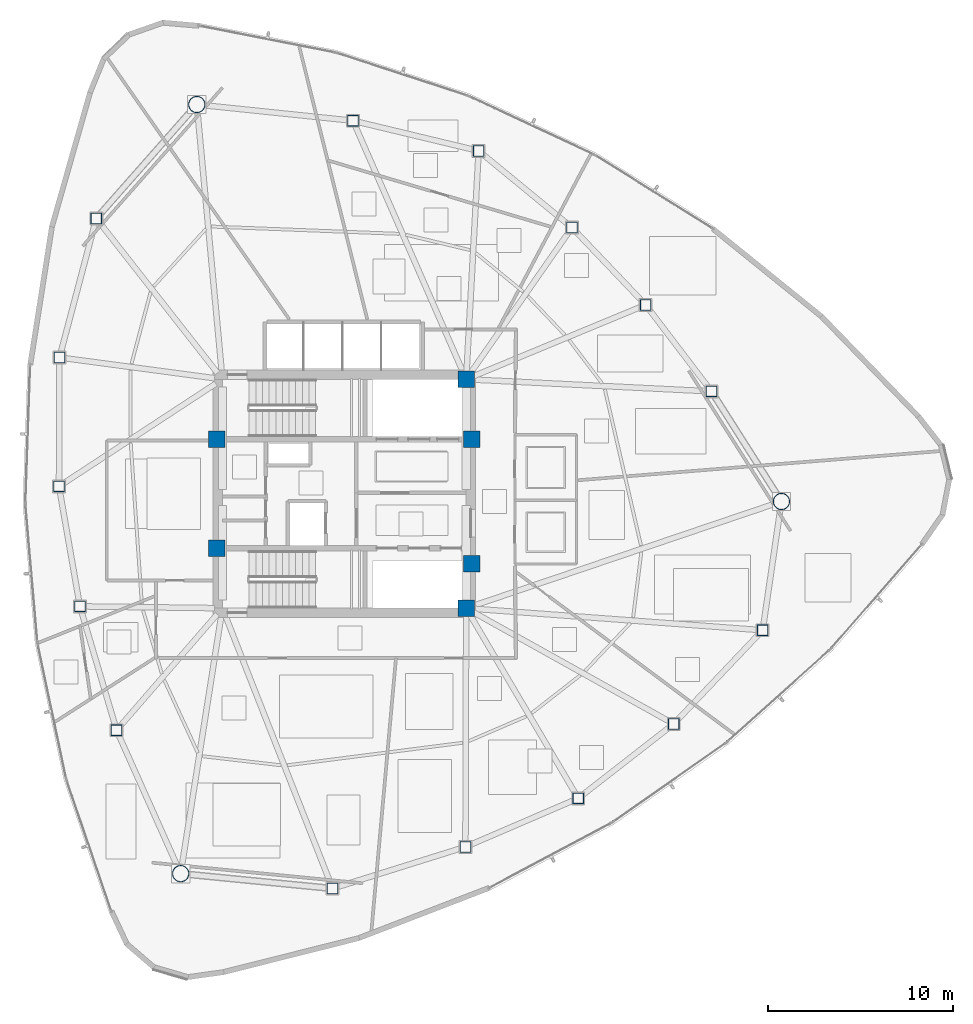
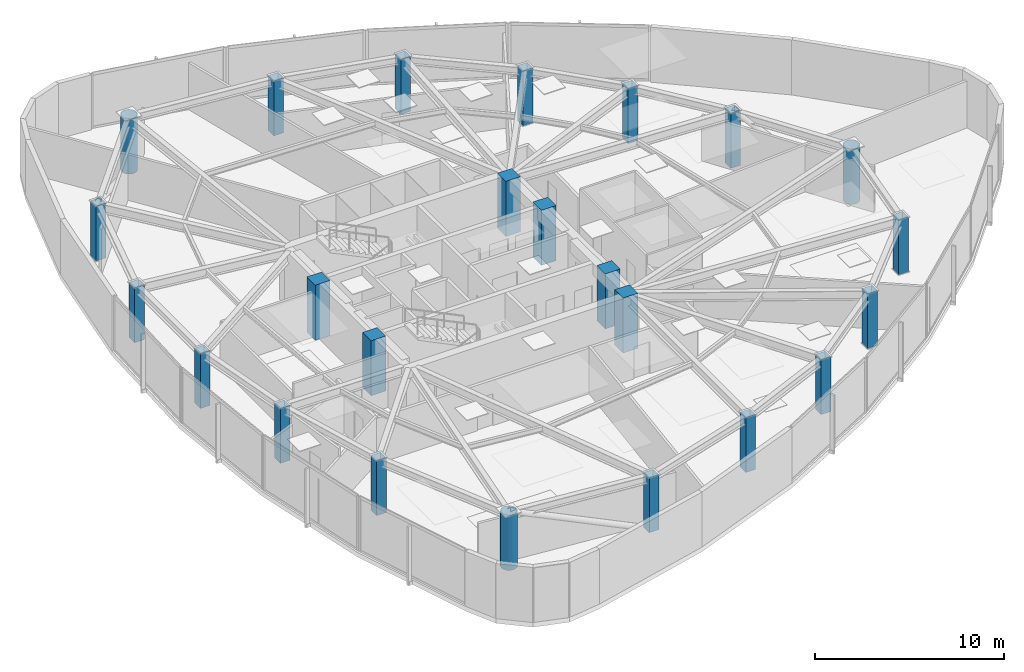
# One storey, part 1 of 17: 24 columns.
"""IFC4 building model written with IfcOpenShell, lengths in metres."""

from ifc_helpers import new_model, si_unit, direction, frame, origin, origin_2d, place, context, subcontext, project, spatial, rectangle, hollow_rectangle, hollow_circle, extrude, material, material_profile, profile_set, type_object, element, save


model = new_model("IFC4")

# Units and contexts
model_context = context("Model", 3, precision=1e-05, world=origin(), true_north=direction((0.0, 1.0)))
body_context = subcontext(model_context, "Body", "Model", "MODEL_VIEW")
ifc_project = project(units=[si_unit("LENGTHUNIT", "METRE"), si_unit("AREAUNIT", "SQUARE_METRE"), si_unit("VOLUMEUNIT", "CUBIC_METRE"), si_unit("PLANEANGLEUNIT", "RADIAN"), si_unit("MASSUNIT", "GRAM", prefix="KILO")], contexts=[model_context])

# Site, building, storey
site_placement = place(None, origin())
site = spatial("IfcSite", under=ifc_project, at=site_placement, CompositionType="ELEMENT")
building_placement = place(site_placement, origin())
building = spatial("IfcBuilding", under=site, at=building_placement, Name="Tavelor Broadcast Tower", CompositionType="ELEMENT")
storey_placement = place(building_placement, frame((0.0, 0.0, 165.64990234375)))
storey = spatial("IfcBuildingStorey", under=building, at=storey_placement, Name="L39", CompositionType="ELEMENT", Elevation=165.64990234375)

# Columns
ifc_material_1 = material(Name="Concrete C50/60", Category="concrete")
ifc_material_profile_1 = material_profile(ifc_material_1, rectangle(XDim=0.89990234375, YDim=0.89990234375, at=origin_2d()), Name="RC 900x900")
ifc_profile_set_1 = profile_set([ifc_material_profile_1], Name="Concrete C50/60")
column_type_1 = type_object("IfcColumnType", Name="Core Embedded Composite Column RC900", PredefinedType="COLUMN", material=ifc_profile_set_1)
for number, where, z_axis, x_axis, name in (
    (1, (43.10009765625, 47.949951171875, 0.0), (0.0, 0.0, 1.0), (1.0, 0.0, 0.0), "L39 Core Embedded Column 1"),
    (2, (56.89990234375, 47.949951171875, 0.0), (0.0, 0.0, 1.0), (1.0, 0.0, 0.0), "L39 Core Embedded Column 2"),
    (3, (56.60009765625, 51.199951171875, 0.0), (0.0, 0.0, 1.0), (1.0, 0.0, 0.0), "L39 Core Embedded Column 3"),
    (4, (43.10009765625, 42.050048828125, 0.0), (0.0, 0.0, 1.0), (1.0, 0.0, 0.0), "L39 Core Embedded Column 4"),
    (5, (56.89990234375, 41.199951171875, 0.0), (0.0, 0.0, 1.0), (1.0, 0.0, 0.0), "L39 Core Embedded Column 5"),
    (6, (56.60009765625, 38.800048828125, 0.0), (0.0, 0.0, 1.0), (1.0, 0.0, 0.0), "L39 Core Embedded Column 6"),
):
    element("IfcColumn", number, at=place(storey_placement, frame(where, z_axis=z_axis, x_axis=x_axis)), inside=storey, type_object=column_type_1, Name=name, PredefinedType="COLUMN", context=body_context, shape_type="SweptSolid", body=[
        extrude(rectangle(XDim=0.89990234375, YDim=0.89990234375, at=origin_2d()), origin(), (0.0, 0.0, 1.0), 3.550048828125),
    ])
ifc_material_2 = material(Name="Steel S460", Category="steel")
ifc_material_profile_2 = material_profile(ifc_material_2, hollow_rectangle(XDim=0.60009765625, YDim=0.60009765625, WallThickness=0.035888671875, at=origin_2d()), Name="SHS 600x600x36")
ifc_profile_set_2 = profile_set([ifc_material_profile_2], Name="Steel S460")
column_type_2 = type_object("IfcColumnType", Name="Perimeter Tube Column T4 SHS 600x600x36", PredefinedType="COLUMN", material=ifc_profile_set_2)
for number, where, z_axis, x_axis, name in (
    (7, (36.567626953125, 59.91064453125, 0.0), (0.0, 0.0, 1.0), (1.0, 0.0, 0.0), "L39 Perimeter Framed-Tube Column 02"),
    (8, (34.5751953125, 52.37939453125, 0.0), (0.0, 0.0, 1.0), (1.0, 0.0, 0.0), "L39 Perimeter Framed-Tube Column 03"),
    (9, (34.54638671875, 45.399169921875, 0.0), (0.0, 0.0, 1.0), (1.0, 0.0, 0.0), "L39 Perimeter Framed-Tube Column 04"),
    (10, (35.680908203125, 38.89990234375, 0.0), (0.0, 0.0, 1.0), (1.0, 0.0, 0.0), "L39 Perimeter Framed-Tube Column 05"),
    (11, (37.668212890625, 32.1904296875, 0.0), (0.0, 0.0, 1.0), (1.0, 0.0, 0.0), "L39 Perimeter Framed-Tube Column 06"),
    (12, (49.366455078125, 23.618896484375, 0.0), (0.0, 0.0, 1.0), (1.0, 0.0, 0.0), "L39 Perimeter Framed-Tube Column 08"),
    (13, (56.56103515625, 25.872802734375, 0.0), (0.0, 0.0, 1.0), (1.0, 0.0, 0.0), "L39 Perimeter Framed-Tube Column 09"),
    (14, (62.669189453125, 28.503173828125, 0.0), (0.0, 0.0, 1.0), (1.0, 0.0, 0.0), "L39 Perimeter Framed-Tube Column 10"),
    (15, (67.84228515625, 32.53173828125, 0.0), (0.0, 0.0, 1.0), (1.0, 0.0, 0.0), "L39 Perimeter Framed-Tube Column 11"),
    (16, (72.6591796875, 37.607421875, 0.0), (0.0, 0.0, 1.0), (1.0, 0.0, 0.0), "L39 Perimeter Framed-Tube Column 12"),
    (17, (69.885986328125, 50.544189453125, 0.0), (0.0, 0.0, 1.0), (1.0, 0.0, 0.0), "L39 Perimeter Framed-Tube Column 14"),
    (18, (66.322021484375, 55.228759765625, 0.0), (0.0, 0.0, 1.0), (1.0, 0.0, 0.0), "L39 Perimeter Framed-Tube Column 15"),
    (19, (62.330810546875, 59.416259765625, 0.0), (0.0, 0.0, 1.0), (1.0, 0.0, 0.0), "L39 Perimeter Framed-Tube Column 16"),
    (20, (57.276611328125, 63.568359375, 0.0), (0.0, 0.0, 1.0), (1.0, 0.0, 0.0), "L39 Perimeter Framed-Tube Column 17"),
    (21, (50.472412109375, 65.2021484375, 0.0), (0.0, 0.0, 1.0), (1.0, 0.0, 0.0), "L39 Perimeter Framed-Tube Column 18"),
):
    element("IfcColumn", number, at=place(storey_placement, frame(where, z_axis=z_axis, x_axis=x_axis)), inside=storey, type_object=column_type_2, Name=name, PredefinedType="COLUMN", context=body_context, shape_type="SweptSolid", body=[
        extrude(hollow_rectangle(XDim=0.60009765625, YDim=0.60009765625, WallThickness=0.035888671875, at=origin_2d()), origin(), (0.0, 0.0, 1.0), 3.550048828125),
    ])
ifc_material_profile_3 = material_profile(ifc_material_2, hollow_circle(Radius=0.45703125, WallThickness=0.0400390625, at=origin_2d()), Name="CHS 914x40")
ifc_profile_set_3 = profile_set([ifc_material_profile_3], Name="Steel S460")
column_type_3 = type_object("IfcColumnType", Name="Tower Mega Column T4 CHS 914x40", PredefinedType="COLUMN", material=ifc_profile_set_3)
for number, where, z_axis, x_axis, name in (
    (22, (42.01123046875, 66.080078125, 0.0), (0.0, 0.0, 1.0), (1.0, 0.0, 0.0), "L39 Tower Corner Mega Column 01"),
    (23, (41.138671875, 24.423828125, 0.0), (0.0, 0.0, 1.0), (1.0, 0.0, 0.0), "L39 Tower Corner Mega Column 07"),
    (24, (73.676025390625, 44.57958984375, 0.0), (0.0, 0.0, 1.0), (1.0, 0.0, 0.0), "L39 Tower Corner Mega Column 13"),
):
    element("IfcColumn", number, at=place(storey_placement, frame(where, z_axis=z_axis, x_axis=x_axis)), inside=storey, type_object=column_type_3, Name=name, PredefinedType="COLUMN", context=body_context, shape_type="SweptSolid", body=[
        extrude(hollow_circle(Radius=0.45703125, WallThickness=0.0400390625, at=origin_2d()), origin(), (0.0, 0.0, 1.0), 3.550048828125),
    ])

save(model, "model.ifc")
